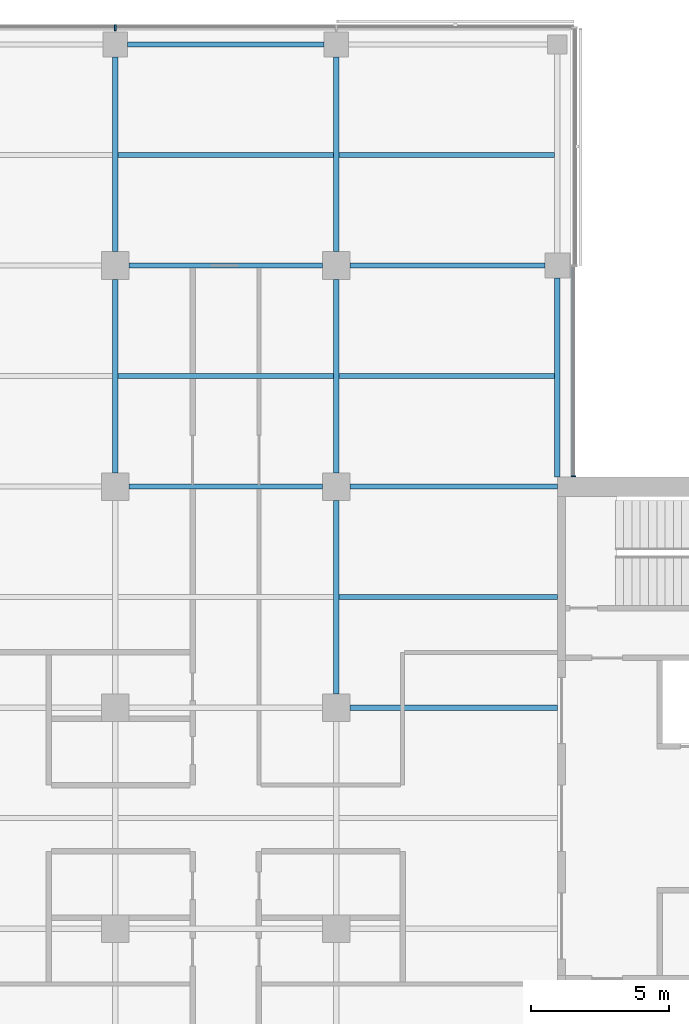
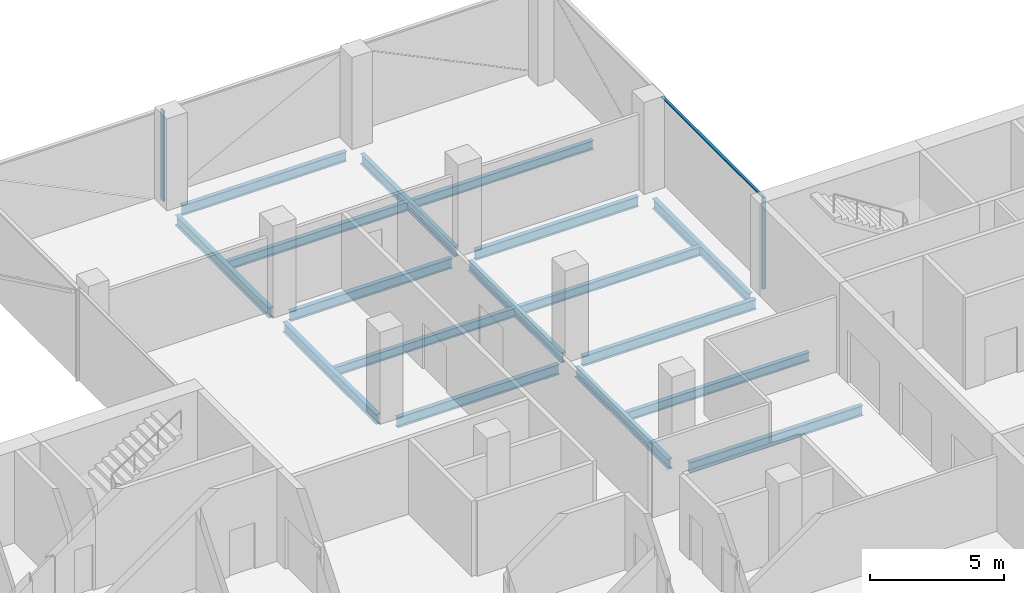
# One storey, part 9 of 22: 17 beams, 3 members, 2 elements without a shape of their own.
"""IFC4 building model written with IfcOpenShell, lengths in metres."""

import ifcopenshell
import ifcopenshell.guid

model = None  # the IFC model being written
_history = None  # IfcOwnerHistory: only IFC2X3 demands one
_inside = {}  # id of a spatial element -> (the spatial element, [elements in it])
_under = {}  # id of a project, library or spatial element -> (it, [spatial elements below it])
_declared = {}  # id of a project -> (the project, [libraries it declares])
_typed = {}  # id of a type object -> (the type object, [elements of that type])
_made_of = {}  # id of a material, layer set ... -> (it, [elements and type objects made of it])


def new_model(schema):
    """Start an empty IFC model of exactly this schema.

    Asked for "IFC4X3", IfcOpenShell would pick the latest addendum, in which some entities
    have other attributes; the version numbers below select the first issue.
    IFC2X3 requires an IfcOwnerHistory on every rooted entity: one is made here for all.
    """
    global model, _history
    if schema == "IFC4X3":
        model = ifcopenshell.file(schema_version=(4, 3, 0, 0))
    else:
        model = ifcopenshell.file(schema=schema)
    _inside.clear()
    _under.clear()
    _declared.clear()
    _typed.clear()
    _made_of.clear()
    _history = None
    if model.schema == "IFC2X3":
        org = make("IfcOrganization", Name="unknown")
        user = make(
            "IfcPersonAndOrganization",
            ThePerson=make("IfcPerson", FamilyName="unknown"),
            TheOrganization=org,
        )
        app = make(
            "IfcApplication",
            ApplicationDeveloper=org,
            Version="unknown",
            ApplicationFullName="unknown",
            ApplicationIdentifier="unknown",
        )
        _history = make(
            "IfcOwnerHistory",
            OwningUser=user,
            OwningApplication=app,
            ChangeAction="ADDED",
            CreationDate=0,
        )
    return model


def make(cls, **values):
    """One entity of the class cls with the attributes given. An attribute that is None is left unset."""
    return model.create_entity(
        cls, **{name: value for name, value in values.items() if value is not None}
    )


def rooted(cls, **values):
    """An entity with a GlobalId (a new one), such as an element, a storey or a relation."""
    return make(cls, GlobalId=ifcopenshell.guid.new(), OwnerHistory=_history, **values)


def si_unit(unit_type, name, prefix=None):
    """IfcSIUnit, for example si_unit("LENGTHUNIT", "METRE", prefix="MILLI")."""
    return make("IfcSIUnit", UnitType=unit_type, Prefix=prefix, Name=name)


def assignment(units):
    """IfcUnitAssignment: the units of a project."""
    return None if units is None else make("IfcUnitAssignment", Units=units)


def point(xyz):
    """IfcCartesianPoint."""
    return None if xyz is None else make("IfcCartesianPoint", Coordinates=xyz)


def direction(xyz):
    """IfcDirection."""
    return None if xyz is None else make("IfcDirection", DirectionRatios=xyz)


def frame(location, z_axis=None, x_axis=None):
    """IfcAxis2Placement3D, a coordinate frame: its origin and axes. An axis left out is left unset."""
    return make(
        "IfcAxis2Placement3D",
        Location=point(location),
        Axis=direction(z_axis),
        RefDirection=direction(x_axis),
    )


def frame_2d(location, x_axis=None):
    """IfcAxis2Placement2D, a coordinate frame in the plane: its origin and x axis."""
    return make(
        "IfcAxis2Placement2D", Location=point(location), RefDirection=direction(x_axis)
    )


def origin():
    """The frame at (0, 0, 0) with its axes left unset."""
    return frame((0.0, 0.0, 0.0))


def origin_2d():
    """The frame at (0, 0) in the plane with its x axis left unset."""
    return frame_2d((0.0, 0.0))


def place(relative_to, where):
    """IfcLocalPlacement: puts the frame where relative to a parent placement (None: the world)."""
    return make(
        "IfcLocalPlacement", PlacementRelTo=relative_to, RelativePlacement=where
    )


def context(
    kind, dimensions, precision=None, world=None, true_north=None, identifier=None
):
    """IfcGeometricRepresentationContext, for example the 3D "Model" context."""
    return make(
        "IfcGeometricRepresentationContext",
        ContextIdentifier=identifier,
        ContextType=kind,
        CoordinateSpaceDimension=dimensions,
        Precision=precision,
        WorldCoordinateSystem=world,
        TrueNorth=true_north,
    )


def subcontext(parent, identifier, kind, view, scale=None):
    """IfcGeometricRepresentationSubContext, for example "Body" below "Model"."""
    return make(
        "IfcGeometricRepresentationSubContext",
        ContextIdentifier=identifier,
        ContextType=kind,
        ParentContext=parent,
        TargetScale=scale,
        TargetView=view,
    )


def project(units=None, contexts=None):
    """IfcProject with its units and contexts."""
    return rooted(
        "IfcProject",
        Name="project",
        RepresentationContexts=contexts,
        UnitsInContext=assignment(units),
    )


def spatial(cls, under=None, at=None, **own):
    """A site, building, storey or space (cls), placed at a placement, below another one or the project."""
    s = rooted(cls, ObjectPlacement=at, **own)
    if under is not None:
        _under.setdefault(under.id(), (under, []))[1].append(s)
    return s


def profile(cls, at=None, kind="AREA", **sizes):
    """A parametric profile (cls). Its sizes go by their IFC names, for example OverallWidth=200.0."""
    return make(cls, ProfileType=kind, Position=at, **sizes)


def rectangle(**sizes):
    """IfcRectangleProfileDef."""
    return profile("IfcRectangleProfileDef", **sizes)


def i_section(**sizes):
    """IfcIShapeProfileDef."""
    return profile("IfcIShapeProfileDef", **sizes)


def extrude(swept, where, along, depth):
    """IfcExtrudedAreaSolid: the profile swept, set in the frame where, extruded along a direction by depth."""
    return make(
        "IfcExtrudedAreaSolid",
        SweptArea=swept,
        Position=where,
        ExtrudedDirection=direction(along),
        Depth=depth,
    )


def shape(context_of_items, identifier, shape_type, items):
    """IfcShapeRepresentation: the items that make up one representation, for example the "Body"."""
    return make(
        "IfcShapeRepresentation",
        ContextOfItems=context_of_items,
        RepresentationIdentifier=identifier,
        RepresentationType=shape_type,
        Items=items,
    )


def material(Name=None, Category=None):
    """IfcMaterial."""
    return make("IfcMaterial", Name=Name, Category=Category)


def material_profile(
    of_material, cross_section, Name=None, Category=None, Priority=None
):
    """IfcMaterialProfile: a cross section and its material."""
    return make(
        "IfcMaterialProfile",
        Name=Name,
        Material=of_material,
        Profile=cross_section,
        Priority=Priority,
        Category=Category,
    )


def profile_set(profiles, Name=None, composite=None):
    """IfcMaterialProfileSet."""
    return make(
        "IfcMaterialProfileSet",
        Name=Name,
        MaterialProfiles=profiles,
        CompositeProfile=composite,
    )


def made_of(thing, what):
    """Note that an element or type object is made of a material, layer set ...; save() writes the relation."""
    if what is not None:
        _made_of.setdefault(what.id(), (what, []))[1].append(thing)
    return thing


def type_object(cls, material=None, **own):
    """A type object (cls), such as IfcWallType, which elements share."""
    return made_of(rooted(cls, **own), material)


def element(
    cls,
    number,
    at=None,
    inside=None,
    cuts=None,
    type_object=None,
    material=None,
    context=None,
    identifier="Body",
    shape_type=None,
    held_by="IfcProductDefinitionShape",
    body=None,
    shapes=None,
    **own,
):
    """One element of the class cls, such as IfcWall. Its Tag is "e" and its number.

    at: its placement. inside: the storey or other place that contains it. cuts: it is an
    opening in that element (IfcRelVoidsElement). A single representation is given by context,
    identifier, shape_type and body (its items); several are given by shapes. held_by: the class
    of the entity that holds the representations. save() writes the other relations.
    """
    e = rooted(cls, Tag="e%d" % number, ObjectPlacement=at, **own)
    if body is not None:
        shapes = [shape(context, identifier, shape_type, body)]
    if shapes is not None:
        e.Representation = make(held_by, Representations=shapes)
    if inside is not None:
        _inside.setdefault(inside.id(), (inside, []))[1].append(e)
    if cuts is not None:
        rooted(
            "IfcRelVoidsElement", RelatingBuildingElement=cuts, RelatedOpeningElement=e
        )
    if type_object is not None:
        _typed.setdefault(type_object.id(), (type_object, []))[1].append(e)
    return made_of(e, material)


def aggregate(whole, parts):
    """IfcRelAggregates: a whole, such as a stair, and the parts it consists of."""
    return rooted("IfcRelAggregates", RelatingObject=whole, RelatedObjects=parts)


def save(model, path):
    """Write the relations noted so far, then the file.

    IfcRelAggregates (storeys below a building ...), IfcRelContainedInSpatialStructure (elements
    in a storey), IfcRelDefinesByType, IfcRelAssociatesMaterial and IfcRelDeclares: one each for
    every whole, place, type object, material and project.
    """
    for whole, parts in _under.values():
        aggregate(whole, parts)
    for where, things in _inside.values():
        rooted(
            "IfcRelContainedInSpatialStructure",
            RelatedElements=things,
            RelatingStructure=where,
        )
    for kind, things in _typed.values():
        rooted("IfcRelDefinesByType", RelatedObjects=things, RelatingType=kind)
    for what, things in _made_of.values():
        rooted("IfcRelAssociatesMaterial", RelatedObjects=things, RelatingMaterial=what)
    for by, libraries in _declared.values():
        rooted("IfcRelDeclares", RelatingContext=by, RelatedDefinitions=libraries)
    model.write(path)


model = new_model("IFC4")

# Units and contexts
model_context = context("Model", 3, precision=1e-05, world=origin(), true_north=direction((0.0, 1.0)))
body_context = subcontext(model_context, "Body", "Model", "MODEL_VIEW")
ifc_project = project(units=[si_unit("LENGTHUNIT", "METRE"), si_unit("AREAUNIT", "SQUARE_METRE"), si_unit("VOLUMEUNIT", "CUBIC_METRE"), si_unit("PLANEANGLEUNIT", "RADIAN"), si_unit("MASSUNIT", "GRAM", prefix="KILO")], contexts=[model_context])

# Site, building, storey
site_placement = place(None, origin())
site = spatial("IfcSite", under=ifc_project, at=site_placement, CompositionType="ELEMENT")
building_placement = place(site_placement, origin())
building = spatial("IfcBuilding", under=site, at=building_placement, Name="Crosswind Convention Tower", CompositionType="ELEMENT")
storey_placement = place(building_placement, frame((0.0, 0.0, 121.10009765625)))
storey = spatial("IfcBuildingStorey", under=building, at=storey_placement, Name="L24", CompositionType="ELEMENT", Elevation=121.10009765625)

# Beams
ifc_material_1 = material(Name="Steel S355", Category="steel")
ifc_material_profile_1 = material_profile(ifc_material_1, i_section(OverallWidth=0.18994140625, OverallDepth=0.45361328125, WebThickness=0.008544921875, FlangeThickness=0.0126953125, FilletRadius=0.01025390625, at=origin_2d()), Name="UB 457x191x67")
ifc_profile_set_1 = profile_set([ifc_material_profile_1], Name="Steel S355")
beam_type_1 = type_object("IfcBeamType", Name="Edge beam UB 457x191x67", PredefinedType="SPANDREL", material=ifc_profile_set_1)
beam_1_placement = place(storey_placement, frame((121.449951171875, 128.0, -0.52685546875), z_axis=(1.0, 0.0, 0.0), x_axis=(0.0, 1.0, 0.0)))
element("IfcBeam", 1, at=beam_1_placement, inside=storey, type_object=beam_type_1, Name="B16 L24 edge beam 13", PredefinedType="SPANDREL", context=body_context, shape_type="SweptSolid", body=[
    extrude(i_section(OverallWidth=0.18994140625, OverallDepth=0.45361328125, WebThickness=0.008544921875, FlangeThickness=0.0126953125, FilletRadius=0.01025390625, at=origin_2d()), origin(), (0.0, 0.0, 1.0), 7.10009765625),
])
beam_2_placement = place(storey_placement, frame((137.0, 112.35009765625, -0.52685546875), z_axis=(0.0, 1.0, 0.0), x_axis=(-1.0, 0.0, 0.0)))
element("IfcBeam", 2, at=beam_2_placement, inside=storey, type_object=beam_type_1, Name="B16 L24 edge beam 18", PredefinedType="SPANDREL", context=body_context, shape_type="SweptSolid", body=[
    extrude(i_section(OverallWidth=0.18994140625, OverallDepth=0.45361328125, WebThickness=0.008544921875, FlangeThickness=0.0126953125, FilletRadius=0.01025390625, at=origin_2d()), origin(), (0.0, 0.0, 1.0), 7.199951171875),
])
ifc_material_profile_2 = material_profile(ifc_material_1, i_section(OverallWidth=0.19140625, OverallDepth=0.460205078125, WebThickness=0.010009765625, FlangeThickness=0.01611328125, FilletRadius=0.01025390625, at=origin_2d()), Name="UB 457x191x82")
ifc_profile_set_2 = profile_set([ifc_material_profile_2], Name="Steel S355")
beam_type_2 = type_object("IfcBeamType", Name="Girder UB 457x191x82", PredefinedType="BEAM", material=ifc_profile_set_2)
beam_3_placement = place(storey_placement, frame((121.0, 112.5, -0.5302734375), z_axis=(0.0, 1.0, 0.0), x_axis=(-1.0, 0.0, 0.0)))
element("IfcBeam", 3, at=beam_3_placement, inside=storey, type_object=beam_type_2, Name="B3 L24 girder 8", PredefinedType="BEAM", context=body_context, shape_type="SweptSolid", body=[
    extrude(i_section(OverallWidth=0.19140625, OverallDepth=0.460205078125, WebThickness=0.010009765625, FlangeThickness=0.01611328125, FilletRadius=0.01025390625, at=origin_2d()), origin(), (0.0, 0.0, 1.0), 7.0),
])
beam_4_placement = place(storey_placement, frame((121.0, 120.5, -0.5302734375), z_axis=(0.0, 1.0, 0.0), x_axis=(-1.0, 0.0, 0.0)))
element("IfcBeam", 4, at=beam_4_placement, inside=storey, type_object=beam_type_2, Name="B3 L24 girder 9", PredefinedType="BEAM", context=body_context, shape_type="SweptSolid", body=[
    extrude(i_section(OverallWidth=0.19140625, OverallDepth=0.460205078125, WebThickness=0.010009765625, FlangeThickness=0.01611328125, FilletRadius=0.01025390625, at=origin_2d()), origin(), (0.0, 0.0, 1.0), 7.050048828125),
])
for number, where, z_axis, x_axis, name in (
    (5, (121.5, 112.0, -0.5302734375), (1.0, 0.0, 0.0), (0.0, 1.0, 0.0), "B3 L24 girder 14"),
    (6, (121.5, 120.0, -0.5302734375), (1.0, 0.0, 0.0), (0.0, 1.0, 0.0), "B3 L24 girder 15"),
    (7, (129.0, 104.5, -0.5302734375), (0.0, 1.0, 0.0), (-1.0, 0.0, 0.0), "B3 L24 girder 20"),
    (8, (129.0, 112.5, -0.5302734375), (0.0, 1.0, 0.0), (-1.0, 0.0, 0.0), "B3 L24 girder 21"),
):
    element("IfcBeam", number, at=place(storey_placement, frame(where, z_axis=z_axis, x_axis=x_axis)), inside=storey, type_object=beam_type_2, Name=name, PredefinedType="BEAM", context=body_context, shape_type="SweptSolid", body=[
        extrude(i_section(OverallWidth=0.19140625, OverallDepth=0.460205078125, WebThickness=0.010009765625, FlangeThickness=0.01611328125, FilletRadius=0.01025390625, at=origin_2d()), origin(), (0.0, 0.0, 1.0), 7.0),
    ])
for number, where, z_axis, x_axis, name in (
    (9, (129.0, 120.5, -0.5302734375), (0.0, 1.0, 0.0), (-1.0, 0.0, 0.0), "B3 L24 girder 22"),
    (10, (129.5, 120.0, -0.5302734375), (1.0, 0.0, 0.0), (0.0, 1.0, 0.0), "B3 L24 girder 24"),
):
    element("IfcBeam", number, at=place(storey_placement, frame(where, z_axis=z_axis, x_axis=x_axis)), inside=storey, type_object=beam_type_2, Name=name, PredefinedType="BEAM", context=body_context, shape_type="SweptSolid", body=[
        extrude(i_section(OverallWidth=0.19140625, OverallDepth=0.460205078125, WebThickness=0.010009765625, FlangeThickness=0.01611328125, FilletRadius=0.01025390625, at=origin_2d()), origin(), (0.0, 0.0, 1.0), 7.050048828125),
    ])
ifc_material_profile_3 = material_profile(ifc_material_1, i_section(OverallWidth=0.19189453125, OverallDepth=0.463623046875, WebThickness=0.010498046875, FlangeThickness=0.017578125, FilletRadius=0.01025390625, at=origin_2d()), Name="UB 457x191x90")
ifc_profile_set_3 = profile_set([ifc_material_profile_3], Name="Steel S355")
beam_type_3 = type_object("IfcBeamType", Name="Girder at core wall UB 457x191x90", PredefinedType="BEAM", material=ifc_profile_set_3)
for number, where, z_axis, x_axis, name in (
    (11, (129.5, 104.0, -0.531982421875), (1.0, 0.0, 0.0), (0.0, 1.0, 0.0), "B24 L24 girder at core wall 9"),
    (12, (129.5, 112.0, -0.531982421875), (1.0, 0.0, 0.0), (0.0, 1.0, 0.0), "B24 L24 girder at core wall 10"),
):
    element("IfcBeam", number, at=place(storey_placement, frame(where, z_axis=z_axis, x_axis=x_axis)), inside=storey, type_object=beam_type_3, Name=name, PredefinedType="BEAM", context=body_context, shape_type="SweptSolid", body=[
        extrude(i_section(OverallWidth=0.19189453125, OverallDepth=0.463623046875, WebThickness=0.010498046875, FlangeThickness=0.017578125, FilletRadius=0.01025390625, at=origin_2d()), origin(), (0.0, 0.0, 1.0), 7.5),
    ])

# Curtain wall, member
ifc_material_2 = material(Name="Aluminium unitised curtain wall", Category="aluminium")
curtain_wall_type_1 = type_object("IfcCurtainWallType", Name="CORE END SLOT WALL 160", PredefinedType="USERDEFINED", material=ifc_material_2)
curtain_wall_1_placement = place(storey_placement, origin())
curtain_wall_1 = element("IfcCurtainWall", 13, at=curtain_wall_1_placement, inside=storey, type_object=curtain_wall_type_1, Name="CW6 L24 N-E.1-1 slot", ObjectType="UNITISED", PredefinedType="USERDEFINED")
ifc_material_3 = material(Name="Aluminium mullion", Category="aluminium")
ifc_material_profile_4 = material_profile(ifc_material_3, rectangle(XDim=0.159912109375, YDim=0.050048828125, at=origin_2d()), Name="AL 160X50")
ifc_profile_set_4 = profile_set([ifc_material_profile_4], Name="Aluminium mullion")
member_type_1 = type_object("IfcMemberType", Name="MULLION 50X160", PredefinedType="MULLION", material=ifc_profile_set_4)
member_1_placement = place(storey_placement, frame((137.580078125, 112.375, -0.300048828125), z_axis=(0.0, 0.0, 1.0), x_axis=(1.0, 0.0, 0.0)))
member_1 = element("IfcMember", 14, at=member_1_placement, type_object=member_type_1, Name="CW6 mullion 1", PredefinedType="MULLION", context=body_context, shape_type="SweptSolid", body=[
    extrude(rectangle(XDim=0.159912109375, YDim=0.050048828125, at=origin_2d()), origin(), (0.0, 0.0, 1.0), 4.14990234375),
])

curtain_wall_type_2 = type_object("IfcCurtainWallType", Name="OFFICE UNITISED WALL 220", PredefinedType="USERDEFINED", material=ifc_material_2)
curtain_wall_2_placement = place(storey_placement, origin())
curtain_wall_2 = element("IfcCurtainWall", 15, at=curtain_wall_2_placement, inside=storey, type_object=curtain_wall_type_2, Name="CW3 L24 N-TIP 1", ObjectType="UNITISED", PredefinedType="USERDEFINED")
ifc_material_profile_5 = material_profile(ifc_material_3, rectangle(XDim=0.219970703125, YDim=0.070068359375, at=origin_2d()), Name="AL 220X70")
ifc_profile_set_5 = profile_set([ifc_material_profile_5], Name="Aluminium mullion")
member_type_2 = type_object("IfcMemberType", Name="MULLION 70X220", PredefinedType="MULLION", material=ifc_profile_set_5)
member_2_placement = place(storey_placement, frame((121.0, 128.610107421875, -0.300048828125), z_axis=(0.0, 0.0, 1.0), x_axis=(0.0, 1.0, 0.0)))
member_2 = element("IfcMember", 16, at=member_2_placement, type_object=member_type_2, Name="CW3 mullion 3", PredefinedType="MULLION", context=body_context, shape_type="SweptSolid", body=[
    extrude(rectangle(XDim=0.219970703125, YDim=0.070068359375, at=origin_2d()), origin(), (0.0, 0.0, 1.0), 4.1298828125),
])
aggregate(curtain_wall_2, [member_2])

# Beams
ifc_material_profile_6 = material_profile(ifc_material_1, i_section(OverallWidth=0.177734375, OverallDepth=0.406494140625, WebThickness=0.0078125, FlangeThickness=0.0126953125, FilletRadius=0.01025390625, at=origin_2d()), Name="UB 406x178x60")
ifc_profile_set_6 = profile_set([ifc_material_profile_6], Name="Steel S355")
beam_type_4 = type_object("IfcBeamType", Name="Secondary beam UB 406x178x60", PredefinedType="JOIST", material=ifc_profile_set_6)
for number, where, z_axis, x_axis, name in (
    (17, (121.095703125, 116.0, -0.50341796875), (1.0, 0.0, 0.0), (0.0, 1.0, 0.0), "B10 L24 secondary beam 16"),
    (18, (121.095703125, 124.0, -0.50341796875), (1.0, 0.0, 0.0), (0.0, 1.0, 0.0), "B10 L24 secondary beam 17"),
):
    element("IfcBeam", number, at=place(storey_placement, frame(where, z_axis=z_axis, x_axis=x_axis)), inside=storey, type_object=beam_type_4, Name=name, PredefinedType="JOIST", context=body_context, shape_type="SweptSolid", body=[
        extrude(i_section(OverallWidth=0.177734375, OverallDepth=0.406494140625, WebThickness=0.0078125, FlangeThickness=0.0126953125, FilletRadius=0.01025390625, at=origin_2d()), origin(), (0.0, 0.0, 1.0), 7.80859375),
    ])
beam_5_placement = place(storey_placement, frame((129.095703125, 108.0, -0.50341796875), z_axis=(1.0, 0.0, 0.0), x_axis=(0.0, 1.0, 0.0)))
element("IfcBeam", 19, at=beam_5_placement, inside=storey, type_object=beam_type_4, Name="B10 L24 secondary beam 22", PredefinedType="JOIST", context=body_context, shape_type="SweptSolid", body=[
    extrude(i_section(OverallWidth=0.177734375, OverallDepth=0.406494140625, WebThickness=0.0078125, FlangeThickness=0.0126953125, FilletRadius=0.01025390625, at=origin_2d()), origin(), (0.0, 0.0, 1.0), 7.904296875),
])
for number, where, z_axis, x_axis, name in (
    (20, (129.095703125, 116.0, -0.50341796875), (1.0, 0.0, 0.0), (0.0, 1.0, 0.0), "B10 L24 secondary beam 23"),
    (21, (129.095703125, 124.0, -0.50341796875), (1.0, 0.0, 0.0), (0.0, 1.0, 0.0), "B10 L24 secondary beam 24"),
):
    element("IfcBeam", number, at=place(storey_placement, frame(where, z_axis=z_axis, x_axis=x_axis)), inside=storey, type_object=beam_type_4, Name=name, PredefinedType="JOIST", context=body_context, shape_type="SweptSolid", body=[
        extrude(i_section(OverallWidth=0.177734375, OverallDepth=0.406494140625, WebThickness=0.0078125, FlangeThickness=0.0126953125, FilletRadius=0.01025390625, at=origin_2d()), origin(), (0.0, 0.0, 1.0), 7.809326171875),
    ])

# Member
ifc_material_4 = material(Name="Aluminium transom", Category="aluminium")
ifc_material_profile_7 = material_profile(ifc_material_4, rectangle(XDim=0.1201171875, YDim=0.050048828125, at=origin_2d()), Name="AL 120X50")
ifc_profile_set_7 = profile_set([ifc_material_profile_7], Name="Aluminium transom")
member_type_3 = type_object("IfcMemberType", Name="TRANSOM 50X120", PredefinedType="USERDEFINED", material=ifc_profile_set_7)
member_3_placement = place(storey_placement, frame((137.580078125, 112.39990234375, 3.875), z_axis=(0.0, 1.0, 0.0), x_axis=(-1.0, 0.0, 0.0)))
member_3 = element("IfcMember", 22, at=member_3_placement, type_object=member_type_3, Name="CW6 transom", ObjectType="TRANSOM", PredefinedType="USERDEFINED", context=body_context, shape_type="SweptSolid", body=[
    extrude(rectangle(XDim=0.1201171875, YDim=0.050048828125, at=origin_2d()), origin(), (0.0, 0.0, 1.0), 7.550048828125),
])

aggregate(curtain_wall_1, [member_1, member_3])

save(model, "model.ifc")
